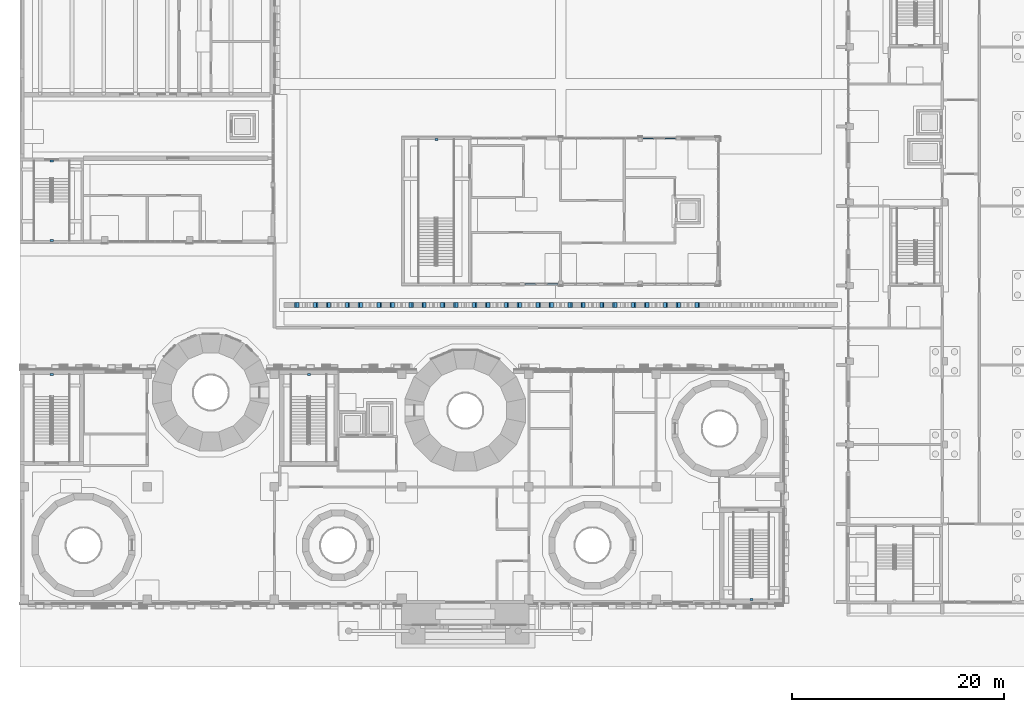
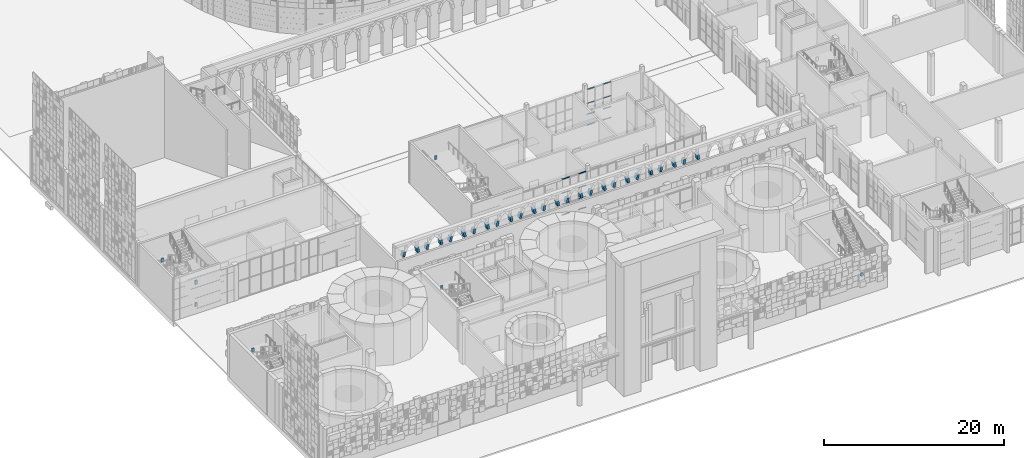
# One storey, part 37 of 125: 42 members, 7 beams, 2 elements without a shape of their own.
"""IFC4 building model written with IfcOpenShell, lengths in metres."""

from ifc_helpers import new_model, si_unit, direction, frame, origin, origin_2d, place, context, subcontext, project, spatial, rectangle, hollow_rectangle, extrude, material, material_profile, profile_set, type_object, element, aggregate, save


model = new_model("IFC4")

# Units and contexts
model_context = context("Model", 3, precision=1e-05, world=origin(), true_north=direction((0.0, 1.0)))
body_context = subcontext(model_context, "Body", "Model", "MODEL_VIEW")
ifc_project = project(units=[si_unit("LENGTHUNIT", "METRE"), si_unit("AREAUNIT", "SQUARE_METRE"), si_unit("VOLUMEUNIT", "CUBIC_METRE"), si_unit("PLANEANGLEUNIT", "RADIAN"), si_unit("MASSUNIT", "GRAM", prefix="KILO")], contexts=[model_context])

# Site, building, storey
site_placement = place(None, origin())
site = spatial("IfcSite", under=ifc_project, at=site_placement, CompositionType="ELEMENT")
building_placement = place(site_placement, origin())
building = spatial("IfcBuilding", under=site, at=building_placement, Name="Sun Court Science Centre", CompositionType="ELEMENT")
storey_placement = place(building_placement, origin())
storey = spatial("IfcBuildingStorey", under=building, at=storey_placement, Name="L00", CompositionType="ELEMENT", Elevation=0.0)

# Members
ifc_material_1 = material(Name="Concrete C30/37", Category="concrete")
ifc_material_profile_1 = material_profile(ifc_material_1, rectangle(XDim=0.5, YDim=0.300048828125, at=origin_2d()), Name="RC 500x300")
ifc_profile_set_1 = profile_set([ifc_material_profile_1], Name="Concrete C30/37")
member_type_1 = type_object("IfcMemberType", Name="Arcade arch rib RC 500x300", PredefinedType="MEMBER", material=ifc_profile_set_1)
for number, where, z_axis, x_axis, name in (
    (1, (26.050048828125, 34.14990234375, 3.22998046875), (0.173510961296, 0.0, 0.984831938104), (0.0, 1.0, 0.0), "Arcade arch rib AR1 bay 01"),
    (2, (27.949951171875, 34.14990234375, 3.22998046875), (-0.173510961296, 0.0, 0.984831938104), (0.0, -1.0, 0.0), "Arcade arch rib AR1 bay 01"),
    (3, (29.050048828125, 34.14990234375, 3.22998046875), (0.173510961296, 0.0, 0.984831938104), (0.0, 1.0, 0.0), "Arcade arch rib AR1 bay 02"),
    (4, (30.949951171875, 34.14990234375, 3.22998046875), (-0.173510961296, 0.0, 0.984831938104), (0.0, -1.0, 0.0), "Arcade arch rib AR1 bay 02"),
    (5, (32.050048828125, 34.14990234375, 3.22998046875), (0.173510961296, 0.0, 0.984831938104), (0.0, 1.0, 0.0), "Arcade arch rib AR1 bay 03"),
    (6, (33.949951171875, 34.14990234375, 3.22998046875), (-0.173510961296, 0.0, 0.984831938104), (0.0, -1.0, 0.0), "Arcade arch rib AR1 bay 03"),
    (7, (35.050048828125, 34.14990234375, 3.22998046875), (0.173510961296, 0.0, 0.984831938104), (0.0, 1.0, 0.0), "Arcade arch rib AR1 bay 04"),
    (8, (36.949951171875, 34.14990234375, 3.22998046875), (-0.173510961296, 0.0, 0.984831938104), (0.0, -1.0, 0.0), "Arcade arch rib AR1 bay 04"),
    (9, (38.050048828125, 34.14990234375, 3.22998046875), (0.173510961296, 0.0, 0.984831938104), (0.0, 1.0, 0.0), "Arcade arch rib AR1 bay 05"),
    (10, (39.949951171875, 34.14990234375, 3.22998046875), (-0.173510961296, 0.0, 0.984831938104), (0.0, -1.0, 0.0), "Arcade arch rib AR1 bay 05"),
    (11, (41.050048828125, 34.14990234375, 3.22998046875), (0.173510961296, 0.0, 0.984831938104), (0.0, 1.0, 0.0), "Arcade arch rib AR1 bay 06"),
    (12, (42.949951171875, 34.14990234375, 3.22998046875), (-0.173510961296, 0.0, 0.984831938104), (0.0, -1.0, 0.0), "Arcade arch rib AR1 bay 06"),
    (13, (44.050048828125, 34.14990234375, 3.22998046875), (0.173510961296, 0.0, 0.984831938104), (0.0, 1.0, 0.0), "Arcade arch rib AR1 bay 07"),
    (14, (45.949951171875, 34.14990234375, 3.22998046875), (-0.173510961296, 0.0, 0.984831938104), (0.0, -1.0, 0.0), "Arcade arch rib AR1 bay 07"),
    (15, (47.050048828125, 34.14990234375, 3.22998046875), (0.173510961296, 0.0, 0.984831938104), (0.0, 1.0, 0.0), "Arcade arch rib AR1 bay 08"),
    (16, (48.949951171875, 34.14990234375, 3.22998046875), (-0.173510961296, 0.0, 0.984831938104), (0.0, -1.0, 0.0), "Arcade arch rib AR1 bay 08"),
    (17, (50.050048828125, 34.14990234375, 3.22998046875), (0.173510961296, 0.0, 0.984831938104), (0.0, 1.0, 0.0), "Arcade arch rib AR1 bay 09"),
    (18, (51.949951171875, 34.14990234375, 3.22998046875), (-0.173510961296, 0.0, 0.984831938104), (0.0, -1.0, 0.0), "Arcade arch rib AR1 bay 09"),
    (19, (53.050048828125, 34.14990234375, 3.22998046875), (0.173510961296, 0.0, 0.984831938104), (0.0, 1.0, 0.0), "Arcade arch rib AR1 bay 10"),
    (20, (54.949951171875, 34.14990234375, 3.22998046875), (-0.173510961296, 0.0, 0.984831938104), (0.0, -1.0, 0.0), "Arcade arch rib AR1 bay 10"),
    (21, (56.050048828125, 34.14990234375, 3.22998046875), (0.173510961296, 0.0, 0.984831938104), (0.0, 1.0, 0.0), "Arcade arch rib AR1 bay 11"),
    (22, (57.949951171875, 34.14990234375, 3.22998046875), (-0.173510961296, 0.0, 0.984831938104), (0.0, -1.0, 0.0), "Arcade arch rib AR1 bay 11"),
    (23, (59.050048828125, 34.14990234375, 3.22998046875), (0.173510961296, 0.0, 0.984831938104), (0.0, 1.0, 0.0), "Arcade arch rib AR1 bay 12"),
    (24, (60.949951171875, 34.14990234375, 3.22998046875), (-0.173510961296, 0.0, 0.984831938104), (0.0, -1.0, 0.0), "Arcade arch rib AR1 bay 12"),
    (25, (62.050048828125, 34.14990234375, 3.22998046875), (0.173510961296, 0.0, 0.984831938104), (0.0, 1.0, 0.0), "Arcade arch rib AR1 bay 13"),
    (26, (63.949951171875, 34.14990234375, 3.22998046875), (-0.173510961296, 0.0, 0.984831938104), (0.0, -1.0, 0.0), "Arcade arch rib AR1 bay 13"),
):
    element("IfcMember", number, at=place(storey_placement, frame(where, z_axis=z_axis, x_axis=x_axis)), inside=storey, type_object=member_type_1, Name=name, PredefinedType="MEMBER", context=body_context, shape_type="SweptSolid", body=[
        extrude(rectangle(XDim=0.5, YDim=0.300048828125, at=origin_2d()), origin(), (0.0, 0.0, 1.0), 0.659912109375),
    ])

# Curtain wall, members
ifc_material_2 = material(Name="Aluminium EN AW-6063 T6", Category="aluminium")
curtain_wall_type = type_object("IfcCurtainWallType", Name="Pavilion curtain wall 1200", PredefinedType="NOTDEFINED", material=ifc_material_2)
curtain_wall_1_placement = place(storey_placement, origin())
curtain_wall_1 = element("IfcCurtainWall", 27, at=curtain_wall_1_placement, inside=storey, type_object=curtain_wall_type, Name="Curtain wall V5 S L00 03", PredefinedType="NOTDEFINED")
ifc_material_3 = material(Name="Aluminium EN AW-6063 T6", Category="aluminium")
ifc_material_profile_2 = material_profile(ifc_material_3, hollow_rectangle(XDim=0.050048828125, YDim=0.10009765625, WallThickness=0.00390625, InnerFilletRadius=0.00390625, OuterFilletRadius=0.006103515625, at=origin_2d()), Name="AL 50x100x4")
ifc_profile_set_2 = profile_set([ifc_material_profile_2], Name="Aluminium EN AW-6063 T6")
member_type_2 = type_object("IfcMemberType", Name="Curtain wall transom AL 50x100", PredefinedType="USERDEFINED", material=ifc_profile_set_2)
member_1_placement = place(storey_placement, frame((48.6416015625, 36.14990234375, 0.02490234375), z_axis=(-1.0, 0.0, 0.0), x_axis=(0.0, 0.0, 1.0)))
member_1 = element("IfcMember", 28, at=member_1_placement, type_object=member_type_2, Name="CW3-03 transom 3.1", ObjectType="TRANSOM", PredefinedType="USERDEFINED", context=body_context, shape_type="SweptSolid", body=[
    extrude(hollow_rectangle(XDim=0.050048828125, YDim=0.10009765625, WallThickness=0.00390625, InnerFilletRadius=0.00390625, OuterFilletRadius=0.006103515625, at=origin_2d()), origin(), (0.0, 0.0, 1.0), 0.99169921875),
])
member_2_placement = place(storey_placement, frame((50.75, 36.14990234375, 0.02490234375), z_axis=(-1.0, 0.0, 0.0), x_axis=(0.0, 0.0, 1.0)))
member_2 = element("IfcMember", 29, at=member_2_placement, type_object=member_type_2, Name="CW3-03 transom 1.1", ObjectType="TRANSOM", PredefinedType="USERDEFINED", context=body_context, shape_type="SweptSolid", body=[
    extrude(hollow_rectangle(XDim=0.050048828125, YDim=0.10009765625, WallThickness=0.00390625, InnerFilletRadius=0.00390625, OuterFilletRadius=0.006103515625, at=origin_2d()), origin(), (0.0, 0.0, 1.0), 0.99169921875),
])
member_3_placement = place(storey_placement, frame((48.6416015625, 36.14990234375, 1.5), z_axis=(-1.0, 0.0, 0.0), x_axis=(0.0, 0.0, 1.0)))
member_3 = element("IfcMember", 30, at=member_3_placement, type_object=member_type_2, Name="CW3-03 transom 3.2", ObjectType="TRANSOM", PredefinedType="USERDEFINED", context=body_context, shape_type="SweptSolid", body=[
    extrude(hollow_rectangle(XDim=0.050048828125, YDim=0.10009765625, WallThickness=0.00390625, InnerFilletRadius=0.00390625, OuterFilletRadius=0.006103515625, at=origin_2d()), origin(), (0.0, 0.0, 1.0), 0.99169921875),
])
member_4_placement = place(storey_placement, frame((50.75, 36.14990234375, 1.5), z_axis=(-1.0, 0.0, 0.0), x_axis=(0.0, 0.0, 1.0)))
member_4 = element("IfcMember", 31, at=member_4_placement, type_object=member_type_2, Name="CW3-03 transom 1.2", ObjectType="TRANSOM", PredefinedType="USERDEFINED", context=body_context, shape_type="SweptSolid", body=[
    extrude(hollow_rectangle(XDim=0.050048828125, YDim=0.10009765625, WallThickness=0.00390625, InnerFilletRadius=0.00390625, OuterFilletRadius=0.006103515625, at=origin_2d()), origin(), (0.0, 0.0, 1.0), 0.99169921875),
])
member_5_placement = place(storey_placement, frame((48.6416015625, 36.14990234375, 3.0), z_axis=(-1.0, 0.0, 0.0), x_axis=(0.0, 0.0, 1.0)))
member_5 = element("IfcMember", 32, at=member_5_placement, type_object=member_type_2, Name="CW3-03 transom 3.3", ObjectType="TRANSOM", PredefinedType="USERDEFINED", context=body_context, shape_type="SweptSolid", body=[
    extrude(hollow_rectangle(XDim=0.050048828125, YDim=0.10009765625, WallThickness=0.00390625, InnerFilletRadius=0.00390625, OuterFilletRadius=0.006103515625, at=origin_2d()), origin(), (0.0, 0.0, 1.0), 0.99169921875),
])
member_6_placement = place(storey_placement, frame((50.75, 36.14990234375, 3.0), z_axis=(-1.0, 0.0, 0.0), x_axis=(0.0, 0.0, 1.0)))
member_6 = element("IfcMember", 33, at=member_6_placement, type_object=member_type_2, Name="CW3-03 transom 1.3", ObjectType="TRANSOM", PredefinedType="USERDEFINED", context=body_context, shape_type="SweptSolid", body=[
    extrude(hollow_rectangle(XDim=0.050048828125, YDim=0.10009765625, WallThickness=0.00390625, InnerFilletRadius=0.00390625, OuterFilletRadius=0.006103515625, at=origin_2d()), origin(), (0.0, 0.0, 1.0), 0.99169921875),
])
member_7_placement = place(storey_placement, frame((48.6416015625, 36.14990234375, 4.875), z_axis=(-1.0, 0.0, 0.0), x_axis=(0.0, 0.0, 1.0)))
member_7 = element("IfcMember", 34, at=member_7_placement, type_object=member_type_2, Name="CW3-03 transom 3.4", ObjectType="TRANSOM", PredefinedType="USERDEFINED", context=body_context, shape_type="SweptSolid", body=[
    extrude(hollow_rectangle(XDim=0.050048828125, YDim=0.10009765625, WallThickness=0.00390625, InnerFilletRadius=0.00390625, OuterFilletRadius=0.006103515625, at=origin_2d()), origin(), (0.0, 0.0, 1.0), 0.99169921875),
])
member_8_placement = place(storey_placement, frame((50.75, 36.14990234375, 4.875), z_axis=(-1.0, 0.0, 0.0), x_axis=(0.0, 0.0, 1.0)))
member_8 = element("IfcMember", 35, at=member_8_placement, type_object=member_type_2, Name="CW3-03 transom 1.4", ObjectType="TRANSOM", PredefinedType="USERDEFINED", context=body_context, shape_type="SweptSolid", body=[
    extrude(hollow_rectangle(XDim=0.050048828125, YDim=0.10009765625, WallThickness=0.00390625, InnerFilletRadius=0.00390625, OuterFilletRadius=0.006103515625, at=origin_2d()), origin(), (0.0, 0.0, 1.0), 0.99169921875),
])
aggregate(curtain_wall_1, [member_1, member_2, member_3, member_4, member_5, member_6, member_7, member_8])

curtain_wall_2_placement = place(storey_placement, origin())
curtain_wall_2 = element("IfcCurtainWall", 36, at=curtain_wall_2_placement, inside=storey, type_object=curtain_wall_type, Name="Curtain wall V5 N L00 03", PredefinedType="NOTDEFINED")
member_9_placement = place(storey_placement, frame((58.75, 49.85009765625, 0.02490234375), z_axis=(1.0, 0.0, 0.0), x_axis=(0.0, 0.0, 1.0)))
member_9 = element("IfcMember", 37, at=member_9_placement, type_object=member_type_2, Name="CW3-13 transom 1.1", ObjectType="TRANSOM", PredefinedType="USERDEFINED", context=body_context, shape_type="SweptSolid", body=[
    extrude(hollow_rectangle(XDim=0.050048828125, YDim=0.10009765625, WallThickness=0.00390625, InnerFilletRadius=0.00390625, OuterFilletRadius=0.006103515625, at=origin_2d()), origin(), (0.0, 0.0, 1.0), 0.99169921875),
])
member_10_placement = place(storey_placement, frame((60.8583984375, 49.85009765625, 0.02490234375), z_axis=(1.0, 0.0, 0.0), x_axis=(0.0, 0.0, 1.0)))
member_10 = element("IfcMember", 38, at=member_10_placement, type_object=member_type_2, Name="CW3-13 transom 3.1", ObjectType="TRANSOM", PredefinedType="USERDEFINED", context=body_context, shape_type="SweptSolid", body=[
    extrude(hollow_rectangle(XDim=0.050048828125, YDim=0.10009765625, WallThickness=0.00390625, InnerFilletRadius=0.00390625, OuterFilletRadius=0.006103515625, at=origin_2d()), origin(), (0.0, 0.0, 1.0), 0.99169921875),
])
member_11_placement = place(storey_placement, frame((58.75, 49.85009765625, 1.5), z_axis=(1.0, 0.0, 0.0), x_axis=(0.0, 0.0, 1.0)))
member_11 = element("IfcMember", 39, at=member_11_placement, type_object=member_type_2, Name="CW3-13 transom 1.2", ObjectType="TRANSOM", PredefinedType="USERDEFINED", context=body_context, shape_type="SweptSolid", body=[
    extrude(hollow_rectangle(XDim=0.050048828125, YDim=0.10009765625, WallThickness=0.00390625, InnerFilletRadius=0.00390625, OuterFilletRadius=0.006103515625, at=origin_2d()), origin(), (0.0, 0.0, 1.0), 0.99169921875),
])
member_12_placement = place(storey_placement, frame((60.8583984375, 49.85009765625, 1.5), z_axis=(1.0, 0.0, 0.0), x_axis=(0.0, 0.0, 1.0)))
member_12 = element("IfcMember", 40, at=member_12_placement, type_object=member_type_2, Name="CW3-13 transom 3.2", ObjectType="TRANSOM", PredefinedType="USERDEFINED", context=body_context, shape_type="SweptSolid", body=[
    extrude(hollow_rectangle(XDim=0.050048828125, YDim=0.10009765625, WallThickness=0.00390625, InnerFilletRadius=0.00390625, OuterFilletRadius=0.006103515625, at=origin_2d()), origin(), (0.0, 0.0, 1.0), 0.99169921875),
])
member_13_placement = place(storey_placement, frame((58.75, 49.85009765625, 3.0), z_axis=(1.0, 0.0, 0.0), x_axis=(0.0, 0.0, 1.0)))
member_13 = element("IfcMember", 41, at=member_13_placement, type_object=member_type_2, Name="CW3-13 transom 1.3", ObjectType="TRANSOM", PredefinedType="USERDEFINED", context=body_context, shape_type="SweptSolid", body=[
    extrude(hollow_rectangle(XDim=0.050048828125, YDim=0.10009765625, WallThickness=0.00390625, InnerFilletRadius=0.00390625, OuterFilletRadius=0.006103515625, at=origin_2d()), origin(), (0.0, 0.0, 1.0), 0.99169921875),
])
member_14_placement = place(storey_placement, frame((60.8583984375, 49.85009765625, 3.0), z_axis=(1.0, 0.0, 0.0), x_axis=(0.0, 0.0, 1.0)))
member_14 = element("IfcMember", 42, at=member_14_placement, type_object=member_type_2, Name="CW3-13 transom 3.3", ObjectType="TRANSOM", PredefinedType="USERDEFINED", context=body_context, shape_type="SweptSolid", body=[
    extrude(hollow_rectangle(XDim=0.050048828125, YDim=0.10009765625, WallThickness=0.00390625, InnerFilletRadius=0.00390625, OuterFilletRadius=0.006103515625, at=origin_2d()), origin(), (0.0, 0.0, 1.0), 0.99169921875),
])
member_15_placement = place(storey_placement, frame((58.75, 49.85009765625, 4.875), z_axis=(1.0, 0.0, 0.0), x_axis=(0.0, 0.0, 1.0)))
member_15 = element("IfcMember", 43, at=member_15_placement, type_object=member_type_2, Name="CW3-13 transom 1.4", ObjectType="TRANSOM", PredefinedType="USERDEFINED", context=body_context, shape_type="SweptSolid", body=[
    extrude(hollow_rectangle(XDim=0.050048828125, YDim=0.10009765625, WallThickness=0.00390625, InnerFilletRadius=0.00390625, OuterFilletRadius=0.006103515625, at=origin_2d()), origin(), (0.0, 0.0, 1.0), 0.99169921875),
])
member_16_placement = place(storey_placement, frame((60.8583984375, 49.85009765625, 4.875), z_axis=(1.0, 0.0, 0.0), x_axis=(0.0, 0.0, 1.0)))
member_16 = element("IfcMember", 44, at=member_16_placement, type_object=member_type_2, Name="CW3-13 transom 3.4", ObjectType="TRANSOM", PredefinedType="USERDEFINED", context=body_context, shape_type="SweptSolid", body=[
    extrude(hollow_rectangle(XDim=0.050048828125, YDim=0.10009765625, WallThickness=0.00390625, InnerFilletRadius=0.00390625, OuterFilletRadius=0.006103515625, at=origin_2d()), origin(), (0.0, 0.0, 1.0), 0.99169921875),
])
aggregate(curtain_wall_2, [member_9, member_10, member_11, member_12, member_13, member_14, member_15, member_16])

# Beams
ifc_material_4 = material(Name="Concrete C25/30", Category="concrete")
ifc_material_profile_3 = material_profile(ifc_material_4, rectangle(XDim=0.300048828125, YDim=0.5, at=origin_2d()), Name="RC 300x500")
ifc_profile_set_3 = profile_set([ifc_material_profile_3], Name="Concrete C25/30")
beam_type = type_object("IfcBeamType", Name="RC landing trimmer 300x500", PredefinedType="BEAM", material=ifc_profile_set_3)
for number, where, z_axis, x_axis, name in (
    (45, (3.0, 27.699951171875, 2.550048828125), (0.0, -1.0, 0.0), (1.0, 0.0, 0.0), "SB1 landing 1 trimmer beam 3"),
    (46, (27.25, 27.699951171875, 2.550048828125), (0.0, -1.0, 0.0), (1.0, 0.0, 0.0), "SB2 landing 1 trimmer beam 3"),
    (47, (69.0, 6.300048828125, 2.550048828125), (0.0, 1.0, 0.0), (-1.0, 0.0, 0.0), "SB3 landing 1 trimmer beam 3"),
):
    element("IfcBeam", number, at=place(storey_placement, frame(where, z_axis=z_axis, x_axis=x_axis)), inside=storey, type_object=beam_type, Name=name, PredefinedType="BEAM", context=body_context, shape_type="SweptSolid", body=[
        extrude(rectangle(XDim=0.300048828125, YDim=0.5, at=origin_2d()), origin(), (0.0, 0.0, 1.0), 0.18994140625),
    ])
for number, where, z_axis, x_axis, name in (
    (48, (3.0, 40.14990234375, 1.050048828125), (0.0, 1.0, 0.0), (-1.0, 0.0, 0.0), "ST1 landing 1 trimmer beam 3"),
    (49, (3.0, 47.85009765625, 2.550048828125), (0.0, -1.0, 0.0), (1.0, 0.0, 0.0), "ST1 landing 2 trimmer beam 6"),
    (50, (3.0, 40.14990234375, 4.050048828125), (0.0, 1.0, 0.0), (-1.0, 0.0, 0.0), "ST1 landing 3 trimmer beam 9"),
    (51, (39.27490234375, 49.85009765625, 2.550048828125), (0.0, -1.0, 0.0), (1.0, 0.0, 0.0), "SP1 landing 1 trimmer beam 3"),
):
    element("IfcBeam", number, at=place(storey_placement, frame(where, z_axis=z_axis, x_axis=x_axis)), inside=storey, type_object=beam_type, Name=name, PredefinedType="BEAM", context=body_context, shape_type="SweptSolid", body=[
        extrude(rectangle(XDim=0.300048828125, YDim=0.5, at=origin_2d()), origin(), (0.0, 0.0, 1.0), 0.190185546875),
    ])

save(model, "model.ifc")
